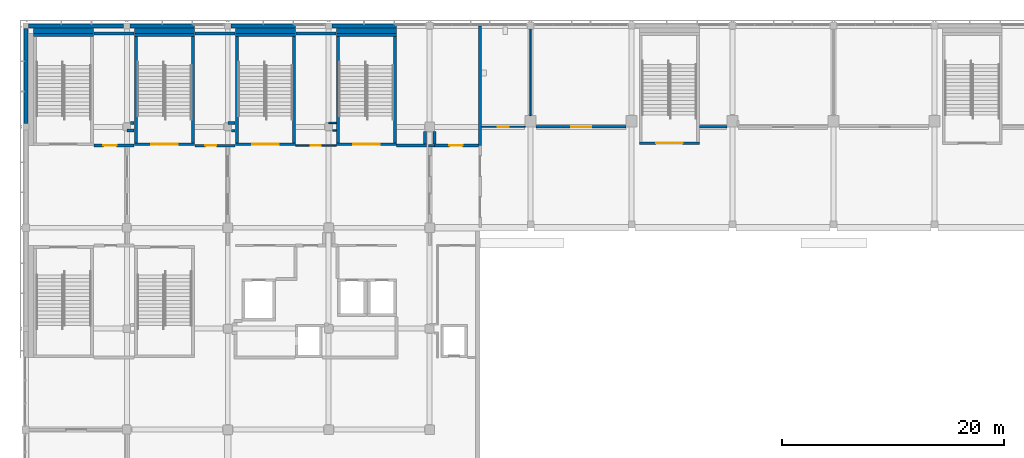
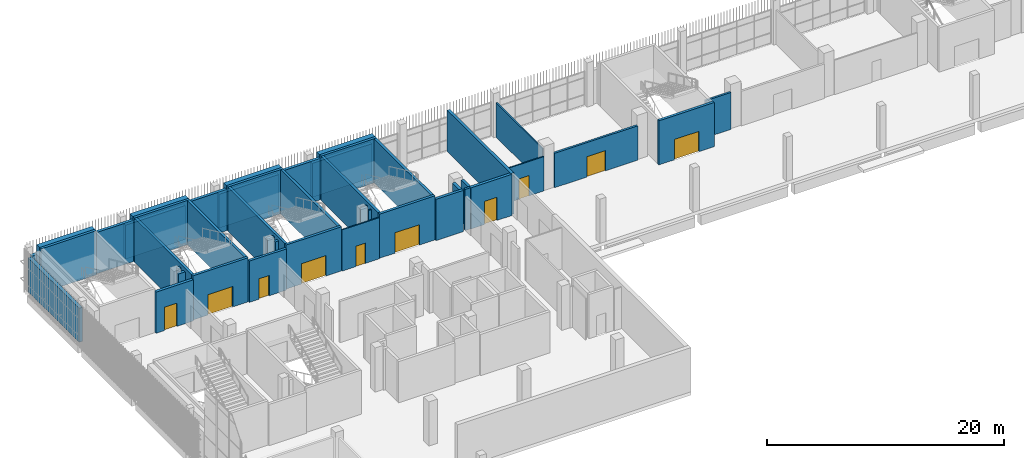
# One storey, part 82 of 126: 45 walls, 10 doors, 10 openings.
"""IFC4 building model written with IfcOpenShell, lengths in metres."""

from ifc_helpers import new_model, si_unit, direction, frame, frame_2d, origin, place, context, subcontext, project, spatial, rectangle, extrude, material, layer, layer_set, type_object, element, fill, save


model = new_model("IFC4")

# Units and contexts
model_context = context("Model", 3, precision=1e-05, world=origin(), true_north=direction((0.0, 1.0)))
body_context = subcontext(model_context, "Body", "Model", "MODEL_VIEW")
ifc_project = project(units=[si_unit("LENGTHUNIT", "METRE"), si_unit("AREAUNIT", "SQUARE_METRE"), si_unit("VOLUMEUNIT", "CUBIC_METRE"), si_unit("PLANEANGLEUNIT", "RADIAN"), si_unit("MASSUNIT", "GRAM", prefix="KILO")], contexts=[model_context])

# Site, building, storey
site_placement = place(None, origin())
site = spatial("IfcSite", under=ifc_project, at=site_placement, CompositionType="ELEMENT")
building_placement = place(site_placement, origin())
building = spatial("IfcBuilding", under=site, at=building_placement, Name="Shirokan Park Arena", CompositionType="ELEMENT")
storey_placement = place(building_placement, frame((0.0, 0.0, 6.3701171875)))
storey = spatial("IfcBuildingStorey", under=building, at=storey_placement, Name="L01", CompositionType="ELEMENT", Elevation=6.3701171875)

# Wall, opening, door
ifc_material_1 = material(Name="Plaster")
ifc_layer_1 = layer(ifc_material_1, 0.014892578125, Name="Plaster")
ifc_material_2 = material(Name="Concrete blockwork", Category="masonry")
ifc_layer_2 = layer(ifc_material_2, 0.219970703125, Name="Concrete blockwork 220")
ifc_layer_3 = layer(ifc_material_1, 0.014892578125, Name="Plaster")
ifc_layer_set_1 = layer_set([ifc_layer_1, ifc_layer_2, ifc_layer_3], Name="Plaster + Concrete blockwork 220")
wall_type_1 = type_object("IfcWallType", Name="Compartment wall 250", PredefinedType="SOLIDWALL", material=ifc_layer_set_1)
wall_1_placement = place(storey_placement, frame((15.22998046875, 98.39990234375, 0.0), z_axis=(0.0, 0.0, 1.0), x_axis=(1.0, 0.0, 0.0)))
wall_1 = element("IfcWall", 1, at=wall_1_placement, inside=storey, type_object=wall_type_1, Name="Compartment wall 250 L01", PredefinedType="SOLIDWALL", context=body_context, shape_type="SweptSolid", body=[
    extrude(rectangle(XDim=3.64013671875, YDim=0.25, at=frame_2d((1.820068359375, 0.0))), origin(), (0.0, 0.0, 1.0), 4.25),
])
opening_1_placement = place(wall_1_placement, frame((0.949951171875, 0.0, 0.0)))
opening_1 = element("IfcOpeningElement", 2, at=opening_1_placement, cuts=wall_1, Name="Opening D-1028", PredefinedType="OPENING", context=body_context, shape_type="SweptSolid", body=[
    extrude(rectangle(XDim=1.0, YDim=2.10009765625, at=frame_2d((0.5, 1.050048828125))), frame((0.0, 0.135009765625, 0.0), z_axis=(0.0, -1.0, 0.0), x_axis=(1.0, 0.0, 0.0)), (0.0, 0.0, 1.0), 0.27001953125),
])
ifc_material_3 = material(Name="Timber door set, fire resisting", Category="wood")
door_type_1 = type_object("IfcDoorType", Name="Door 1000 x 2100", OperationType="SINGLE_SWING_LEFT", PredefinedType="DOOR", material=ifc_material_3)
door_1_placement = place(opening_1_placement, origin())
door_1 = element("IfcDoor", 3, at=door_1_placement, inside=storey, type_object=door_type_1, Name="Door to Kiosk Store 1.41 D-1028", OperationType="SINGLE_SWING_RIGHT", OverallHeight=2.10009765625, OverallWidth=1.0, PredefinedType="DOOR", context=body_context, shape_type="SweptSolid", body=[
    extrude(rectangle(XDim=1.0, YDim=2.10009765625, at=frame_2d((0.5, 1.050048828125))), frame((0.0, 0.02490234375, 0.0), z_axis=(0.0, -1.0, 0.0), x_axis=(1.0, 0.0, 0.0)), (0.0, 0.0, 1.0), 0.050048828125),
])
fill(opening_1, door_1)

# Walls
wall_2_placement = place(storey_placement, frame((18.199951171875, 100.449951171875, 0.0), z_axis=(0.0, 0.0, 1.0), x_axis=(1.0, 0.0, 0.0)))
element("IfcWall", 4, at=wall_2_placement, inside=storey, type_object=wall_type_1, Name="Compartment wall 250 L01", PredefinedType="SOLIDWALL", context=body_context, shape_type="SweptSolid", body=[
    extrude(rectangle(XDim=0.670166015625, YDim=0.25, at=frame_2d((0.3349609375, 0.0))), origin(), (0.0, 0.0, 1.0), 4.25),
])
wall_3_placement = place(storey_placement, frame((18.550048828125, 99.75, 0.0), z_axis=(0.0, 0.0, 1.0), x_axis=(1.0, 0.0, 0.0)))
element("IfcWall", 5, at=wall_3_placement, inside=storey, type_object=wall_type_1, Name="Compartment wall 250 L01", PredefinedType="SOLIDWALL", context=body_context, shape_type="SweptSolid", body=[
    extrude(rectangle(XDim=0.320068359375, YDim=0.25, at=frame_2d((0.16015625, 0.0))), origin(), (0.0, 0.0, 1.0), 4.25),
])
ifc_material_4 = material(Name="Gypsum board")
ifc_layer_4 = layer(ifc_material_4, 0.02490234375, Name="Gypsum board, two layers")
ifc_material_5 = material(Name="Mineral wool insulation")
ifc_layer_5 = layer(ifc_material_5, 0.14990234375, Name="Mineral wool insulation")
ifc_layer_6 = layer(ifc_material_4, 0.02490234375, Name="Gypsum board, two layers")
ifc_layer_set_2 = layer_set([ifc_layer_4, ifc_layer_5, ifc_layer_6], Name="Gypsum board, two layers + Mineral wool insulation")
wall_type_2 = type_object("IfcWallType", Name="Corridor wall 200", PredefinedType="PARTITIONING", material=ifc_layer_set_2)
wall_4_placement = place(storey_placement, frame((36.824951171875, 98.39990234375, 0.0), z_axis=(0.0, 0.0, 1.0), x_axis=(-1.0, 0.0, 0.0)))
element("IfcWall", 6, at=wall_4_placement, inside=storey, type_object=wall_type_2, Name="Corridor wall 200 L01", PredefinedType="PARTITIONING", context=body_context, shape_type="SweptSolid", body=[
    extrude(rectangle(XDim=0.52490234375, YDim=0.199951171875, at=frame_2d((0.262451171875, 0.0))), origin(), (0.0, 0.0, 1.0), 4.25),
])

# Wall, opening, door
wall_5_placement = place(storey_placement, frame((46.0, 100.10009765625, 0.0), z_axis=(0.0, 0.0, 1.0), x_axis=(1.0, 0.0, 0.0)))
wall_5 = element("IfcWall", 7, at=wall_5_placement, inside=storey, type_object=wall_type_2, Name="Corridor wall 200 L01", PredefinedType="PARTITIONING", context=body_context, shape_type="SweptSolid", body=[
    extrude(rectangle(XDim=8.10009765625, YDim=0.199951171875, at=frame_2d((4.050048828125, 0.0))), origin(), (0.0, 0.0, 1.0), 3.5498046875),
])
opening_2_placement = place(wall_5_placement, frame((3.14990234375, 0.0, 0.0)))
opening_2 = element("IfcOpeningElement", 8, at=opening_2_placement, cuts=wall_5, Name="Opening D-1032", PredefinedType="OPENING", context=body_context, shape_type="SweptSolid", body=[
    extrude(rectangle(XDim=1.800048828125, YDim=2.10009765625, at=frame_2d((0.89990234375, 1.050048828125))), frame((0.0, 0.10986328125, 0.0), z_axis=(0.0, -1.0, 0.0), x_axis=(1.0, 0.0, 0.0)), (0.0, 0.0, 1.0), 0.219970703125),
])
door_type_2 = type_object("IfcDoorType", Name="Double door 1800 x 2100", OperationType="DOUBLE_DOOR_SINGLE_SWING", PredefinedType="DOOR", material=ifc_material_3)
door_2_placement = place(opening_2_placement, origin())
door_2 = element("IfcDoor", 9, at=door_2_placement, inside=storey, type_object=door_type_2, Name="Door to Concession Stand 1.32 D-1032", OperationType="DOUBLE_DOOR_SINGLE_SWING", OverallHeight=2.10009765625, OverallWidth=1.800048828125, PredefinedType="DOOR", context=body_context, shape_type="SweptSolid", body=[
    extrude(rectangle(XDim=1.800048828125, YDim=2.10009765625, at=frame_2d((0.89990234375, 1.050048828125))), frame((0.0, 0.02490234375, 0.0), z_axis=(0.0, -1.0, 0.0), x_axis=(1.0, 0.0, 0.0)), (0.0, 0.0, 1.0), 0.050048828125),
])
fill(opening_2, door_2)

# Walls
wall_6_placement = place(storey_placement, frame((60.72998046875, 100.10009765625, 0.0), z_axis=(0.0, 0.0, 1.0), x_axis=(1.0, 0.0, 0.0)))
element("IfcWall", 10, at=wall_6_placement, inside=storey, type_object=wall_type_2, Name="Corridor wall 200 L01", PredefinedType="PARTITIONING", context=body_context, shape_type="SweptSolid", body=[
    extrude(rectangle(XDim=2.469970703125, YDim=0.199951171875, at=frame_2d((1.23486328125, 0.0))), origin(), (0.0, 0.0, 1.0), 3.7998046875),
])
ifc_material_6 = material(Name="Cedar cladding")
ifc_layer_7 = layer(ifc_material_6, 0.030029296875, Name="Cedar cladding")
ifc_layer_8 = layer(ifc_material_5, 0.10009765625, Name="Mineral wool insulation")
ifc_material_7 = material(Name="Concrete C35", Category="concrete")
ifc_layer_9 = layer(ifc_material_7, 0.199951171875, Name="Concrete C35")
ifc_material_8 = material(Name="Gypsum board lining")
ifc_layer_10 = layer(ifc_material_8, 0.02001953125, Name="Gypsum board lining")
ifc_layer_set_3 = layer_set([ifc_layer_7, ifc_layer_8, ifc_layer_9, ifc_layer_10], Name="Cedar cladding + Mineral wool insulation + Concrete C35 + Gypsum board lining")
wall_type_3 = type_object("IfcWallType", Name="Insulated tower wall 350", PredefinedType="SOLIDWALL", material=ifc_layer_set_3)
for number, where, z_axis, x_axis, name in (
    (11, (33.39990234375, 109.175048828125, 0.0), (0.0, 0.0, 1.0), (-1.0, 0.0, 0.0), "North facade wall bay 13 L01"),
    (12, (24.300048828125, 109.175048828125, 0.0), (0.0, 0.0, 1.0), (-1.0, 0.0, 0.0), "North facade wall bay 14 L01"),
    (13, (15.199951171875, 109.175048828125, 0.0), (0.0, 0.0, 1.0), (-1.0, 0.0, 0.0), "North facade wall bay 15 L01"),
):
    element("IfcWall", number, at=place(storey_placement, frame(where, z_axis=z_axis, x_axis=x_axis)), inside=storey, type_object=wall_type_3, Name=name, PredefinedType="SOLIDWALL", context=body_context, shape_type="SweptSolid", body=[
        extrude(rectangle(XDim=5.824951171875, YDim=0.35009765625, at=frame_2d((2.91259765625, 0.0))), origin(), (0.0, 0.0, 1.0), 3.5),
    ])
for number, where, z_axis, x_axis, name in (
    (14, (8.824951171875, 109.175048828125, 0.0), (0.0, 0.0, 1.0), (-1.0, 0.0, 0.0), "North facade wall bay 16 L01"),
    (15, (0.02490234375, 108.949951171875, 0.0), (0.0, 0.0, 1.0), (0.0, -1.0, 0.0), "West facade wall bay 1 L01"),
):
    element("IfcWall", number, at=place(storey_placement, frame(where, z_axis=z_axis, x_axis=x_axis)), inside=storey, type_object=wall_type_3, Name=name, PredefinedType="SOLIDWALL", context=body_context, shape_type="SweptSolid", body=[
        extrude(rectangle(XDim=8.574951171875, YDim=0.35009765625, at=frame_2d((4.28759765625, 0.0))), origin(), (0.0, 0.0, 1.0), 3.5),
    ])

# Wall, opening, door
ifc_layer_11 = layer(ifc_material_1, 0.012451171875, Name="Plaster")
ifc_layer_12 = layer(ifc_material_2, 0.25, Name="Concrete blockwork 250")
ifc_layer_13 = layer(ifc_material_1, 0.012451171875, Name="Plaster")
ifc_layer_set_4 = layer_set([ifc_layer_11, ifc_layer_12, ifc_layer_13], Name="Plaster + Concrete blockwork 250")
wall_type_4 = type_object("IfcWallType", Name="Plant room wall 275", PredefinedType="SOLIDWALL", material=ifc_layer_set_4)
wall_7_placement = place(storey_placement, frame((6.1298828125, 98.39990234375, 0.0), z_axis=(0.0, 0.0, 1.0), x_axis=(1.0, 0.0, 0.0)))
wall_7 = element("IfcWall", 16, at=wall_7_placement, inside=storey, type_object=wall_type_4, Name="Plant room wall 275 L01", PredefinedType="SOLIDWALL", context=body_context, shape_type="SweptSolid", body=[
    extrude(rectangle(XDim=3.64013671875, YDim=0.27490234375, at=frame_2d((1.820068359375, 0.0))), origin(), (0.0, 0.0, 1.0), 4.25),
])
opening_3_placement = place(wall_7_placement, frame((0.85009765625, 0.0, 0.0)))
opening_3 = element("IfcOpeningElement", 17, at=opening_3_placement, cuts=wall_7, Name="Opening D-1027", PredefinedType="OPENING", context=body_context, shape_type="SweptSolid", body=[
    extrude(rectangle(XDim=1.199951171875, YDim=2.39990234375, at=frame_2d((0.60009765625, 1.199951171875))), frame((0.0, 0.1474609375, 0.0), z_axis=(0.0, -1.0, 0.0), x_axis=(1.0, 0.0, 0.0)), (0.0, 0.0, 1.0), 0.294921875),
])
ifc_material_9 = material(Name="Louvred steel door set, fire resisting", Category="steel")
door_type_3 = type_object("IfcDoorType", Name="Plant room door 1200 x 2400", OperationType="SINGLE_SWING_LEFT", PredefinedType="DOOR", material=ifc_material_9)
door_3_placement = place(opening_3_placement, origin())
door_3 = element("IfcDoor", 18, at=door_3_placement, inside=storey, type_object=door_type_3, Name="Door to Electrical Room 1.40 D-1027", OperationType="SINGLE_SWING_RIGHT", OverallHeight=2.39990234375, OverallWidth=1.199951171875, PredefinedType="DOOR", context=body_context, shape_type="SweptSolid", body=[
    extrude(rectangle(XDim=1.199951171875, YDim=2.39990234375, at=frame_2d((0.60009765625, 1.199951171875))), frame((0.0, 0.02490234375, 0.0), z_axis=(0.0, -1.0, 0.0), x_axis=(1.0, 0.0, 0.0)), (0.0, 0.0, 1.0), 0.050048828125),
])
fill(opening_3, door_3)

# Walls
wall_8_placement = place(storey_placement, frame((6.1298828125, 108.5, 0.0), z_axis=(0.0, 0.0, 1.0), x_axis=(1.0, 0.0, 0.0)))
element("IfcWall", 19, at=wall_8_placement, inside=storey, type_object=wall_type_4, Name="Plant room wall 275 L01", PredefinedType="SOLIDWALL", context=body_context, shape_type="SweptSolid", body=[
    extrude(rectangle(XDim=3.64013671875, YDim=0.27490234375, at=frame_2d((1.820068359375, 0.0))), origin(), (0.0, 0.0, 1.0), 4.25),
])
wall_9_placement = place(storey_placement, frame((9.10009765625, 99.75, 0.0), z_axis=(0.0, 0.0, 1.0), x_axis=(1.0, 0.0, 0.0)))
element("IfcWall", 20, at=wall_9_placement, inside=storey, type_object=wall_type_4, Name="Plant room wall 275 L01", PredefinedType="SOLIDWALL", context=body_context, shape_type="SweptSolid", body=[
    extrude(rectangle(XDim=0.669921875, YDim=0.27490234375, at=frame_2d((0.3349609375, 0.0))), origin(), (0.0, 0.0, 1.0), 4.25),
])
wall_10_placement = place(storey_placement, frame((9.77001953125, 100.449951171875, 0.0), z_axis=(0.0, 0.0, 1.0), x_axis=(-1.0, 0.0, 0.0)))
element("IfcWall", 21, at=wall_10_placement, inside=storey, type_object=wall_type_4, Name="Plant room wall 275 L01", PredefinedType="SOLIDWALL", context=body_context, shape_type="SweptSolid", body=[
    extrude(rectangle(XDim=0.320068359375, YDim=0.27490234375, at=frame_2d((0.16015625, 0.0))), origin(), (0.0, 0.0, 1.0), 4.25),
])
wall_11_placement = place(storey_placement, frame((15.22998046875, 108.5, 0.0), z_axis=(0.0, 0.0, 1.0), x_axis=(1.0, 0.0, 0.0)))
element("IfcWall", 22, at=wall_11_placement, inside=storey, type_object=wall_type_4, Name="Plant room wall 275 L01", PredefinedType="SOLIDWALL", context=body_context, shape_type="SweptSolid", body=[
    extrude(rectangle(XDim=3.64013671875, YDim=0.27490234375, at=frame_2d((1.820068359375, 0.0))), origin(), (0.0, 0.0, 1.0), 4.25),
])
wall_12_placement = place(storey_placement, frame((24.330078125, 108.5, 0.0), z_axis=(0.0, 0.0, 1.0), x_axis=(1.0, 0.0, 0.0)))
element("IfcWall", 23, at=wall_12_placement, inside=storey, type_object=wall_type_4, Name="Plant room wall 275 L01", PredefinedType="SOLIDWALL", context=body_context, shape_type="SweptSolid", body=[
    extrude(rectangle(XDim=3.639892578125, YDim=0.27490234375, at=frame_2d((1.81982421875, 0.0))), origin(), (0.0, 0.0, 1.0), 4.25),
])
wall_13_placement = place(storey_placement, frame((33.429931640625, 98.39990234375, 0.0), z_axis=(0.0, 0.0, 1.0), x_axis=(1.0, 0.0, 0.0)))
element("IfcWall", 24, at=wall_13_placement, inside=storey, type_object=wall_type_4, Name="Plant room wall 275 L01", PredefinedType="SOLIDWALL", context=body_context, shape_type="SweptSolid", body=[
    extrude(rectangle(XDim=2.6826171875, YDim=0.27490234375, at=frame_2d((1.34130859375, 0.0))), origin(), (0.0, 0.0, 1.0), 4.25),
])
wall_14_placement = place(storey_placement, frame((35.97509765625, 98.53759765625, 0.0), z_axis=(0.0, 0.0, 1.0), x_axis=(0.0, 1.0, 0.0)))
element("IfcWall", 25, at=wall_14_placement, inside=storey, type_object=wall_type_4, Name="Plant room wall 275 L01", PredefinedType="SOLIDWALL", context=body_context, shape_type="SweptSolid", body=[
    extrude(rectangle(XDim=1.137451171875, YDim=0.27490234375, at=frame_2d((0.56884765625, 0.0))), origin(), (0.0, 0.0, 1.0), 4.25),
])

# Wall, opening, door
wall_15_placement = place(storey_placement, frame((36.824951171875, 98.39990234375, 0.0), z_axis=(0.0, 0.0, 1.0), x_axis=(1.0, 0.0, 0.0)))
wall_15 = element("IfcWall", 26, at=wall_15_placement, inside=storey, type_object=wall_type_4, Name="Plant room wall 275 L01", PredefinedType="SOLIDWALL", context=body_context, shape_type="SweptSolid", body=[
    extrude(rectangle(XDim=3.987548828125, YDim=0.27490234375, at=frame_2d((1.99365234375, 0.0))), origin(), (0.0, 0.0, 1.0), 4.25),
])
opening_4_placement = place(wall_15_placement, frame((1.35009765625, 0.0, 0.0)))
opening_4 = element("IfcOpeningElement", 27, at=opening_4_placement, cuts=wall_15, Name="Opening D-1030", PredefinedType="OPENING", context=body_context, shape_type="SweptSolid", body=[
    extrude(rectangle(XDim=1.199951171875, YDim=2.39990234375, at=frame_2d((0.60009765625, 1.199951171875))), frame((0.0, 0.1474609375, 0.0), z_axis=(0.0, -1.0, 0.0), x_axis=(1.0, 0.0, 0.0)), (0.0, 0.0, 1.0), 0.294921875),
])
door_4_placement = place(opening_4_placement, origin())
door_4 = element("IfcDoor", 28, at=door_4_placement, inside=storey, type_object=door_type_3, Name="Door to Communications Room 1.43 D-1030", OperationType="SINGLE_SWING_RIGHT", OverallHeight=2.39990234375, OverallWidth=1.199951171875, PredefinedType="DOOR", context=body_context, shape_type="SweptSolid", body=[
    extrude(rectangle(XDim=1.199951171875, YDim=2.39990234375, at=frame_2d((0.60009765625, 1.199951171875))), frame((0.0, 0.02490234375, 0.0), z_axis=(0.0, -1.0, 0.0), x_axis=(1.0, 0.0, 0.0)), (0.0, 0.0, 1.0), 0.050048828125),
])
fill(opening_4, door_4)

# Walls
wall_16_placement = place(storey_placement, frame((36.824951171875, 99.675048828125, 0.0), z_axis=(0.0, 0.0, 1.0), x_axis=(0.0, -1.0, 0.0)))
element("IfcWall", 29, at=wall_16_placement, inside=storey, type_object=wall_type_4, Name="Plant room wall 275 L01", PredefinedType="SOLIDWALL", context=body_context, shape_type="SweptSolid", body=[
    extrude(rectangle(XDim=1.137451171875, YDim=0.27490234375, at=frame_2d((0.56884765625, 0.0))), origin(), (0.0, 0.0, 1.0), 4.25),
])
wall_17_placement = place(storey_placement, frame((40.949951171875, 98.39990234375, 0.0), z_axis=(0.0, 0.0, 1.0), x_axis=(0.0, 1.0, 0.0)))
element("IfcWall", 30, at=wall_17_placement, inside=storey, type_object=wall_type_4, Name="Plant room wall 275 L01", PredefinedType="SOLIDWALL", context=body_context, shape_type="SweptSolid", body=[
    extrude(rectangle(XDim=10.77001953125, YDim=0.27490234375, at=frame_2d((5.385009765625, 0.0))), origin(), (0.0, 0.0, 1.0), 4.25),
])
ifc_material_10 = material(Name="Concrete C40/50", Category="concrete")
ifc_layer_14 = layer(ifc_material_10, 0.25)
ifc_layer_set_5 = layer_set([ifc_layer_14], Name="Concrete C40/50 250 mm")
wall_type_5 = type_object("IfcWallType", Name="RC shear wall 250", PredefinedType="SHEAR", material=ifc_layer_set_5)
wall_18_placement = place(storey_placement, frame((6.10009765625, 108.375, 0.0), z_axis=(0.0, 0.0, 1.0), x_axis=(-1.0, 0.0, 0.0)))
element("IfcWall", 31, at=wall_18_placement, inside=storey, type_object=wall_type_5, Name="Shaft wall Exit Stair 4.A N L01", PredefinedType="SHEAR", context=body_context, shape_type="SweptSolid", body=[
    extrude(rectangle(XDim=5.400146484375, YDim=0.25, at=frame_2d((2.7001953125, 0.0))), origin(), (0.0, 0.0, 1.0), 4.5498046875),
])

# Wall, opening, door
wall_19_placement = place(storey_placement, frame((15.199951171875, 98.52490234375, 0.0), z_axis=(0.0, 0.0, 1.0), x_axis=(-1.0, 0.0, 0.0)))
wall_19 = element("IfcWall", 32, at=wall_19_placement, inside=storey, type_object=wall_type_5, Name="Shaft wall Exit Stair 4.B S L01", PredefinedType="SHEAR", context=body_context, shape_type="SweptSolid", body=[
    extrude(rectangle(XDim=5.39990234375, YDim=0.25, at=frame_2d((2.699951171875, 0.0))), origin(), (0.0, 0.0, 1.0), 4.5498046875),
])
opening_5_placement = place(wall_19_placement, frame((1.5, 0.0, 0.0)))
opening_5 = element("IfcOpeningElement", 33, at=opening_5_placement, cuts=wall_19, Name="Opening D-1113", PredefinedType="OPENING", context=body_context, shape_type="SweptSolid", body=[
    extrude(rectangle(XDim=2.39990234375, YDim=2.10009765625, at=frame_2d((1.199951171875, 1.050048828125))), frame((0.0, 0.135009765625, 0.0), z_axis=(0.0, -1.0, 0.0), x_axis=(1.0, 0.0, 0.0)), (0.0, 0.0, 1.0), 0.27001953125),
])
ifc_material_11 = material(Name="Steel door set, fire resisting", Category="steel")
door_type_4 = type_object("IfcDoorType", Name="Stair door 2400 x 2100", OperationType="DOUBLE_DOOR_SINGLE_SWING", PredefinedType="DOOR", material=ifc_material_11)
door_5_placement = place(opening_5_placement, origin())
door_5 = element("IfcDoor", 34, at=door_5_placement, inside=storey, type_object=door_type_4, Name="Stair door Exit Stair 4.B D-1113", OperationType="DOUBLE_DOOR_SINGLE_SWING", OverallHeight=2.10009765625, OverallWidth=2.39990234375, PredefinedType="DOOR", context=body_context, shape_type="SweptSolid", body=[
    extrude(rectangle(XDim=2.39990234375, YDim=2.10009765625, at=frame_2d((1.199951171875, 1.050048828125))), frame((0.0, 0.02490234375, 0.0), z_axis=(0.0, -1.0, 0.0), x_axis=(1.0, 0.0, 0.0)), (0.0, 0.0, 1.0), 0.050048828125),
])
fill(opening_5, door_5)

# Walls
wall_20_placement = place(storey_placement, frame((15.199951171875, 108.375, 0.0), z_axis=(0.0, 0.0, 1.0), x_axis=(-1.0, 0.0, 0.0)))
element("IfcWall", 35, at=wall_20_placement, inside=storey, type_object=wall_type_5, Name="Shaft wall Exit Stair 4.B N L01", PredefinedType="SHEAR", context=body_context, shape_type="SweptSolid", body=[
    extrude(rectangle(XDim=5.39990234375, YDim=0.25, at=frame_2d((2.699951171875, 0.0))), origin(), (0.0, 0.0, 1.0), 4.5498046875),
])
for number, where, z_axis, x_axis, name in (
    (36, (9.925048828125, 108.25, 0.0), (0.0, 0.0, 1.0), (0.0, -1.0, 0.0), "Shaft wall Exit Stair 4.B W L01"),
    (37, (15.074951171875, 108.25, 0.0), (0.0, 0.0, 1.0), (0.0, -1.0, 0.0), "Shaft wall Exit Stair 4.B E L01"),
):
    element("IfcWall", number, at=place(storey_placement, frame(where, z_axis=z_axis, x_axis=x_axis)), inside=storey, type_object=wall_type_5, Name=name, PredefinedType="SHEAR", context=body_context, shape_type="SweptSolid", body=[
        extrude(rectangle(XDim=9.60009765625, YDim=0.25, at=frame_2d((4.800048828125, 0.0))), origin(), (0.0, 0.0, 1.0), 4.5498046875),
    ])

# Wall, opening, door
wall_21_placement = place(storey_placement, frame((24.300048828125, 98.52490234375, 0.0), z_axis=(0.0, 0.0, 1.0), x_axis=(-1.0, 0.0, 0.0)))
wall_21 = element("IfcWall", 38, at=wall_21_placement, inside=storey, type_object=wall_type_5, Name="Shaft wall Exit Stair 4.C S L01", PredefinedType="SHEAR", context=body_context, shape_type="SweptSolid", body=[
    extrude(rectangle(XDim=5.400146484375, YDim=0.25, at=frame_2d((2.7001953125, 0.0))), origin(), (0.0, 0.0, 1.0), 4.5498046875),
])
opening_6_placement = place(wall_21_placement, frame((1.5, 0.0, 0.0)))
opening_6 = element("IfcOpeningElement", 39, at=opening_6_placement, cuts=wall_21, Name="Opening D-1114", PredefinedType="OPENING", context=body_context, shape_type="SweptSolid", body=[
    extrude(rectangle(XDim=2.39990234375, YDim=2.10009765625, at=frame_2d((1.199951171875, 1.050048828125))), frame((0.0, 0.135009765625, 0.0), z_axis=(0.0, -1.0, 0.0), x_axis=(1.0, 0.0, 0.0)), (0.0, 0.0, 1.0), 0.27001953125),
])
door_6_placement = place(opening_6_placement, origin())
door_6 = element("IfcDoor", 40, at=door_6_placement, inside=storey, type_object=door_type_4, Name="Stair door Exit Stair 4.C D-1114", OperationType="DOUBLE_DOOR_SINGLE_SWING", OverallHeight=2.10009765625, OverallWidth=2.39990234375, PredefinedType="DOOR", context=body_context, shape_type="SweptSolid", body=[
    extrude(rectangle(XDim=2.39990234375, YDim=2.10009765625, at=frame_2d((1.199951171875, 1.050048828125))), frame((0.0, 0.02490234375, 0.0), z_axis=(0.0, -1.0, 0.0), x_axis=(1.0, 0.0, 0.0)), (0.0, 0.0, 1.0), 0.050048828125),
])
fill(opening_6, door_6)

# Walls
wall_22_placement = place(storey_placement, frame((24.300048828125, 108.375, 0.0), z_axis=(0.0, 0.0, 1.0), x_axis=(-1.0, 0.0, 0.0)))
element("IfcWall", 41, at=wall_22_placement, inside=storey, type_object=wall_type_5, Name="Shaft wall Exit Stair 4.C N L01", PredefinedType="SHEAR", context=body_context, shape_type="SweptSolid", body=[
    extrude(rectangle(XDim=5.400146484375, YDim=0.25, at=frame_2d((2.7001953125, 0.0))), origin(), (0.0, 0.0, 1.0), 4.5498046875),
])
for number, where, z_axis, x_axis, name in (
    (42, (19.02490234375, 108.25, 0.0), (0.0, 0.0, 1.0), (0.0, -1.0, 0.0), "Shaft wall Exit Stair 4.C W L01"),
    (43, (24.175048828125, 108.25, 0.0), (0.0, 0.0, 1.0), (0.0, -1.0, 0.0), "Shaft wall Exit Stair 4.C E L01"),
):
    element("IfcWall", number, at=place(storey_placement, frame(where, z_axis=z_axis, x_axis=x_axis)), inside=storey, type_object=wall_type_5, Name=name, PredefinedType="SHEAR", context=body_context, shape_type="SweptSolid", body=[
        extrude(rectangle(XDim=9.60009765625, YDim=0.25, at=frame_2d((4.800048828125, 0.0))), origin(), (0.0, 0.0, 1.0), 4.5498046875),
    ])

# Wall, opening, door
wall_23_placement = place(storey_placement, frame((33.39990234375, 98.52490234375, 0.0), z_axis=(0.0, 0.0, 1.0), x_axis=(-1.0, 0.0, 0.0)))
wall_23 = element("IfcWall", 44, at=wall_23_placement, inside=storey, type_object=wall_type_5, Name="Shaft wall Exit Stair 4.D S L01", PredefinedType="SHEAR", context=body_context, shape_type="SweptSolid", body=[
    extrude(rectangle(XDim=5.39990234375, YDim=0.25, at=frame_2d((2.699951171875, 0.0))), origin(), (0.0, 0.0, 1.0), 4.5498046875),
])
opening_7_placement = place(wall_23_placement, frame((1.5, 0.0, 0.0)))
opening_7 = element("IfcOpeningElement", 45, at=opening_7_placement, cuts=wall_23, Name="Opening D-1115", PredefinedType="OPENING", context=body_context, shape_type="SweptSolid", body=[
    extrude(rectangle(XDim=2.39990234375, YDim=2.10009765625, at=frame_2d((1.199951171875, 1.050048828125))), frame((0.0, 0.135009765625, 0.0), z_axis=(0.0, -1.0, 0.0), x_axis=(1.0, 0.0, 0.0)), (0.0, 0.0, 1.0), 0.27001953125),
])
door_7_placement = place(opening_7_placement, origin())
door_7 = element("IfcDoor", 46, at=door_7_placement, inside=storey, type_object=door_type_4, Name="Stair door Exit Stair 4.D D-1115", OperationType="DOUBLE_DOOR_SINGLE_SWING", OverallHeight=2.10009765625, OverallWidth=2.39990234375, PredefinedType="DOOR", context=body_context, shape_type="SweptSolid", body=[
    extrude(rectangle(XDim=2.39990234375, YDim=2.10009765625, at=frame_2d((1.199951171875, 1.050048828125))), frame((0.0, 0.02490234375, 0.0), z_axis=(0.0, -1.0, 0.0), x_axis=(1.0, 0.0, 0.0)), (0.0, 0.0, 1.0), 0.050048828125),
])
fill(opening_7, door_7)

# Walls
wall_24_placement = place(storey_placement, frame((33.39990234375, 108.375, 0.0), z_axis=(0.0, 0.0, 1.0), x_axis=(-1.0, 0.0, 0.0)))
element("IfcWall", 47, at=wall_24_placement, inside=storey, type_object=wall_type_5, Name="Shaft wall Exit Stair 4.D N L01", PredefinedType="SHEAR", context=body_context, shape_type="SweptSolid", body=[
    extrude(rectangle(XDim=5.39990234375, YDim=0.25, at=frame_2d((2.699951171875, 0.0))), origin(), (0.0, 0.0, 1.0), 4.5498046875),
])
for number, where, z_axis, x_axis, name in (
    (48, (28.125, 108.25, 0.0), (0.0, 0.0, 1.0), (0.0, -1.0, 0.0), "Shaft wall Exit Stair 4.D W L01"),
    (49, (33.27490234375, 108.25, 0.0), (0.0, 0.0, 1.0), (0.0, -1.0, 0.0), "Shaft wall Exit Stair 4.D E L01"),
):
    element("IfcWall", number, at=place(storey_placement, frame(where, z_axis=z_axis, x_axis=x_axis)), inside=storey, type_object=wall_type_5, Name=name, PredefinedType="SHEAR", context=body_context, shape_type="SweptSolid", body=[
        extrude(rectangle(XDim=9.60009765625, YDim=0.25, at=frame_2d((4.800048828125, 0.0))), origin(), (0.0, 0.0, 1.0), 4.5498046875),
    ])

# Wall, opening, door
wall_25_placement = place(storey_placement, frame((60.699951171875, 98.625, 0.0), z_axis=(0.0, 0.0, 1.0), x_axis=(-1.0, 0.0, 0.0)))
wall_25 = element("IfcWall", 50, at=wall_25_placement, inside=storey, type_object=wall_type_5, Name="Shaft wall Entrance Stair E4.1 S L01", PredefinedType="SHEAR", context=body_context, shape_type="SweptSolid", body=[
    extrude(rectangle(XDim=5.39990234375, YDim=0.25, at=frame_2d((2.699951171875, 0.0))), origin(), (0.0, 0.0, 1.0), 4.5498046875),
])
opening_8_placement = place(wall_25_placement, frame((1.5, 0.0, 0.0)))
opening_8 = element("IfcOpeningElement", 51, at=opening_8_placement, cuts=wall_25, Name="Opening D-1124", PredefinedType="OPENING", context=body_context, shape_type="SweptSolid", body=[
    extrude(rectangle(XDim=2.39990234375, YDim=2.10009765625, at=frame_2d((1.199951171875, 1.050048828125))), frame((0.0, 0.135009765625, 0.0), z_axis=(0.0, -1.0, 0.0), x_axis=(1.0, 0.0, 0.0)), (0.0, 0.0, 1.0), 0.27001953125),
])
door_8_placement = place(opening_8_placement, origin())
door_8 = element("IfcDoor", 52, at=door_8_placement, inside=storey, type_object=door_type_4, Name="Stair door Entrance Stair E4.1 D-1124", OperationType="DOUBLE_DOOR_SINGLE_SWING", OverallHeight=2.10009765625, OverallWidth=2.39990234375, PredefinedType="DOOR", context=body_context, shape_type="SweptSolid", body=[
    extrude(rectangle(XDim=2.39990234375, YDim=2.10009765625, at=frame_2d((1.199951171875, 1.050048828125))), frame((0.0, 0.02490234375, 0.0), z_axis=(0.0, -1.0, 0.0), x_axis=(1.0, 0.0, 0.0)), (0.0, 0.0, 1.0), 0.050048828125),
])
fill(opening_8, door_8)

# Walls
ifc_layer_15 = layer(ifc_material_7, 0.5)
ifc_layer_set_6 = layer_set([ifc_layer_15], Name="Concrete C35 500 mm")
wall_type_6 = type_object("IfcWallType", Name="Shaft infill wall 500", PredefinedType="SOLIDWALL", material=ifc_layer_set_6)
wall_26_placement = place(storey_placement, frame((0.699951171875, 108.75, 0.0), z_axis=(0.0, 0.0, 1.0), x_axis=(1.0, 0.0, 0.0)))
element("IfcWall", 53, at=wall_26_placement, inside=storey, type_object=wall_type_6, Name="Shaft infill wall L01", PredefinedType="SOLIDWALL", context=body_context, shape_type="SweptSolid", body=[
    extrude(rectangle(XDim=5.400146484375, YDim=0.5, at=frame_2d((2.7001953125, 0.0))), origin(), (0.0, 0.0, 1.0), 4.5498046875),
])
wall_27_placement = place(storey_placement, frame((9.800048828125, 108.75, 0.0), z_axis=(0.0, 0.0, 1.0), x_axis=(1.0, 0.0, 0.0)))
element("IfcWall", 54, at=wall_27_placement, inside=storey, type_object=wall_type_6, Name="Shaft infill wall L01", PredefinedType="SOLIDWALL", context=body_context, shape_type="SweptSolid", body=[
    extrude(rectangle(XDim=5.39990234375, YDim=0.5, at=frame_2d((2.699951171875, 0.0))), origin(), (0.0, 0.0, 1.0), 4.5498046875),
])
wall_28_placement = place(storey_placement, frame((18.89990234375, 108.75, 0.0), z_axis=(0.0, 0.0, 1.0), x_axis=(1.0, 0.0, 0.0)))
element("IfcWall", 55, at=wall_28_placement, inside=storey, type_object=wall_type_6, Name="Shaft infill wall L01", PredefinedType="SOLIDWALL", context=body_context, shape_type="SweptSolid", body=[
    extrude(rectangle(XDim=5.400146484375, YDim=0.5, at=frame_2d((2.7001953125, 0.0))), origin(), (0.0, 0.0, 1.0), 4.5498046875),
])
wall_29_placement = place(storey_placement, frame((28.0, 108.75, 0.0), z_axis=(0.0, 0.0, 1.0), x_axis=(1.0, 0.0, 0.0)))
element("IfcWall", 56, at=wall_29_placement, inside=storey, type_object=wall_type_6, Name="Shaft infill wall L01", PredefinedType="SOLIDWALL", context=body_context, shape_type="SweptSolid", body=[
    extrude(rectangle(XDim=5.39990234375, YDim=0.5, at=frame_2d((2.699951171875, 0.0))), origin(), (0.0, 0.0, 1.0), 4.5498046875),
])

# Wall, opening, door
ifc_material_12 = material(Name="Ceramic tile")
ifc_layer_16 = layer(ifc_material_12, 0.010009765625, Name="Ceramic tile")
ifc_material_13 = material(Name="Cement board")
ifc_layer_17 = layer(ifc_material_13, 0.012451171875, Name="Cement board")
ifc_layer_18 = layer(ifc_material_5, 0.080078125, Name="Mineral wool insulation")
ifc_layer_19 = layer(ifc_material_13, 0.012451171875, Name="Cement board")
ifc_layer_20 = layer(ifc_material_12, 0.010009765625, Name="Ceramic tile")
ifc_layer_set_7 = layer_set([ifc_layer_16, ifc_layer_17, ifc_layer_18, ifc_layer_19, ifc_layer_20], Name="Ceramic tile + Cement board + Mineral wool insulation")
wall_type_7 = type_object("IfcWallType", Name="Wet-area wall 125", PredefinedType="PARTITIONING", material=ifc_layer_set_7)
wall_30_placement = place(storey_placement, frame((24.330078125, 98.39990234375, 0.0), z_axis=(0.0, 0.0, 1.0), x_axis=(1.0, 0.0, 0.0)))
wall_30 = element("IfcWall", 57, at=wall_30_placement, inside=storey, type_object=wall_type_7, Name="Wet-area wall 125 L01", PredefinedType="PARTITIONING", context=body_context, shape_type="SweptSolid", body=[
    extrude(rectangle(XDim=3.639892578125, YDim=0.125, at=frame_2d((1.81982421875, 0.0))), origin(), (0.0, 0.0, 1.0), 4.25),
])
opening_9_placement = place(wall_30_placement, frame((1.35009765625, 0.0, 0.0)))
opening_9 = element("IfcOpeningElement", 58, at=opening_9_placement, cuts=wall_30, Name="Opening D-1029", PredefinedType="OPENING", context=body_context, shape_type="SweptSolid", body=[
    extrude(rectangle(XDim=0.89990234375, YDim=2.10009765625, at=frame_2d((0.449951171875, 1.050048828125))), frame((0.0, 0.072509765625, 0.0), z_axis=(0.0, -1.0, 0.0), x_axis=(1.0, 0.0, 0.0)), (0.0, 0.0, 1.0), 0.14501953125),
])
door_type_5 = type_object("IfcDoorType", Name="Door 900 x 2100", OperationType="SINGLE_SWING_LEFT", PredefinedType="DOOR", material=ifc_material_3)
door_9_placement = place(opening_9_placement, origin())
door_9 = element("IfcDoor", 59, at=door_9_placement, inside=storey, type_object=door_type_5, Name="Door to Staff WC 1.42 D-1029", OperationType="SINGLE_SWING_RIGHT", OverallHeight=2.10009765625, OverallWidth=0.89990234375, PredefinedType="DOOR", context=body_context, shape_type="SweptSolid", body=[
    extrude(rectangle(XDim=0.89990234375, YDim=2.10009765625, at=frame_2d((0.449951171875, 1.050048828125))), frame((0.0, 0.02490234375, 0.0), z_axis=(0.0, -1.0, 0.0), x_axis=(1.0, 0.0, 0.0)), (0.0, 0.0, 1.0), 0.050048828125),
])
fill(opening_9, door_9)

# Walls
wall_31_placement = place(storey_placement, frame((27.300048828125, 100.449951171875, 0.0), z_axis=(0.0, 0.0, 1.0), x_axis=(1.0, 0.0, 0.0)))
element("IfcWall", 60, at=wall_31_placement, inside=storey, type_object=wall_type_7, Name="Wet-area wall 125 L01", PredefinedType="PARTITIONING", context=body_context, shape_type="SweptSolid", body=[
    extrude(rectangle(XDim=0.669921875, YDim=0.125, at=frame_2d((0.3349609375, 0.0))), origin(), (0.0, 0.0, 1.0), 4.25),
])
wall_32_placement = place(storey_placement, frame((27.64990234375, 99.75, 0.0), z_axis=(0.0, 0.0, 1.0), x_axis=(1.0, 0.0, 0.0)))
element("IfcWall", 61, at=wall_32_placement, inside=storey, type_object=wall_type_7, Name="Wet-area wall 125 L01", PredefinedType="PARTITIONING", context=body_context, shape_type="SweptSolid", body=[
    extrude(rectangle(XDim=0.320068359375, YDim=0.125, at=frame_2d((0.16015625, 0.0))), origin(), (0.0, 0.0, 1.0), 4.25),
])

# Wall, opening, door
wall_33_placement = place(storey_placement, frame((41.08740234375, 100.10009765625, 0.0), z_axis=(0.0, 0.0, 1.0), x_axis=(1.0, 0.0, 0.0)))
wall_33 = element("IfcWall", 62, at=wall_33_placement, inside=storey, type_object=wall_type_7, Name="Wet-area wall 125 L01", PredefinedType="PARTITIONING", context=body_context, shape_type="SweptSolid", body=[
    extrude(rectangle(XDim=3.91259765625, YDim=0.125, at=frame_2d((1.956298828125, 0.0))), origin(), (0.0, 0.0, 1.0), 3.5498046875),
])
opening_10_placement = place(wall_33_placement, frame((1.449951171875, 0.0, 0.0)))
opening_10 = element("IfcOpeningElement", 63, at=opening_10_placement, cuts=wall_33, Name="Opening D-1031", PredefinedType="OPENING", context=body_context, shape_type="SweptSolid", body=[
    extrude(rectangle(XDim=1.0, YDim=2.10009765625, at=frame_2d((0.5, 1.050048828125))), frame((0.0, 0.072509765625, 0.0), z_axis=(0.0, -1.0, 0.0), x_axis=(1.0, 0.0, 0.0)), (0.0, 0.0, 1.0), 0.14501953125),
])
door_type_6 = type_object("IfcDoorType", Name="Accessible WC door 1000 x 2100", OperationType="SINGLE_SWING_RIGHT", PredefinedType="DOOR", material=ifc_material_3)
door_10_placement = place(opening_10_placement, origin())
door_10 = element("IfcDoor", 64, at=door_10_placement, inside=storey, type_object=door_type_6, Name="Door to Accessible WC 1.31 D-1031", OperationType="SINGLE_SWING_RIGHT", OverallHeight=2.10009765625, OverallWidth=1.0, PredefinedType="DOOR", context=body_context, shape_type="SweptSolid", body=[
    extrude(rectangle(XDim=1.0, YDim=2.10009765625, at=frame_2d((0.5, 1.050048828125))), frame((0.0, 0.02490234375, 0.0), z_axis=(0.0, -1.0, 0.0), x_axis=(1.0, 0.0, 0.0)), (0.0, 0.0, 1.0), 0.050048828125),
])
fill(opening_10, door_10)

# Wall
wall_34_placement = place(storey_placement, frame((45.5, 108.925048828125, 0.0), z_axis=(0.0, 0.0, 1.0), x_axis=(0.0, -1.0, 0.0)))
element("IfcWall", 65, at=wall_34_placement, inside=storey, type_object=wall_type_7, Name="Wet-area wall 125 L01", PredefinedType="PARTITIONING", context=body_context, shape_type="SweptSolid", body=[
    extrude(rectangle(XDim=7.824951171875, YDim=0.125, at=frame_2d((3.91259765625, 0.0))), origin(), (0.0, 0.0, 1.0), 3.5498046875),
])

save(model, "model.ifc")
